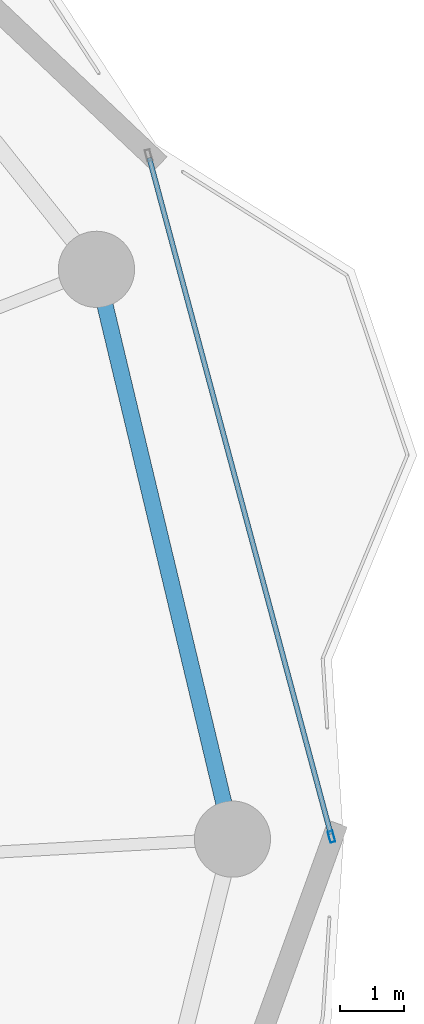
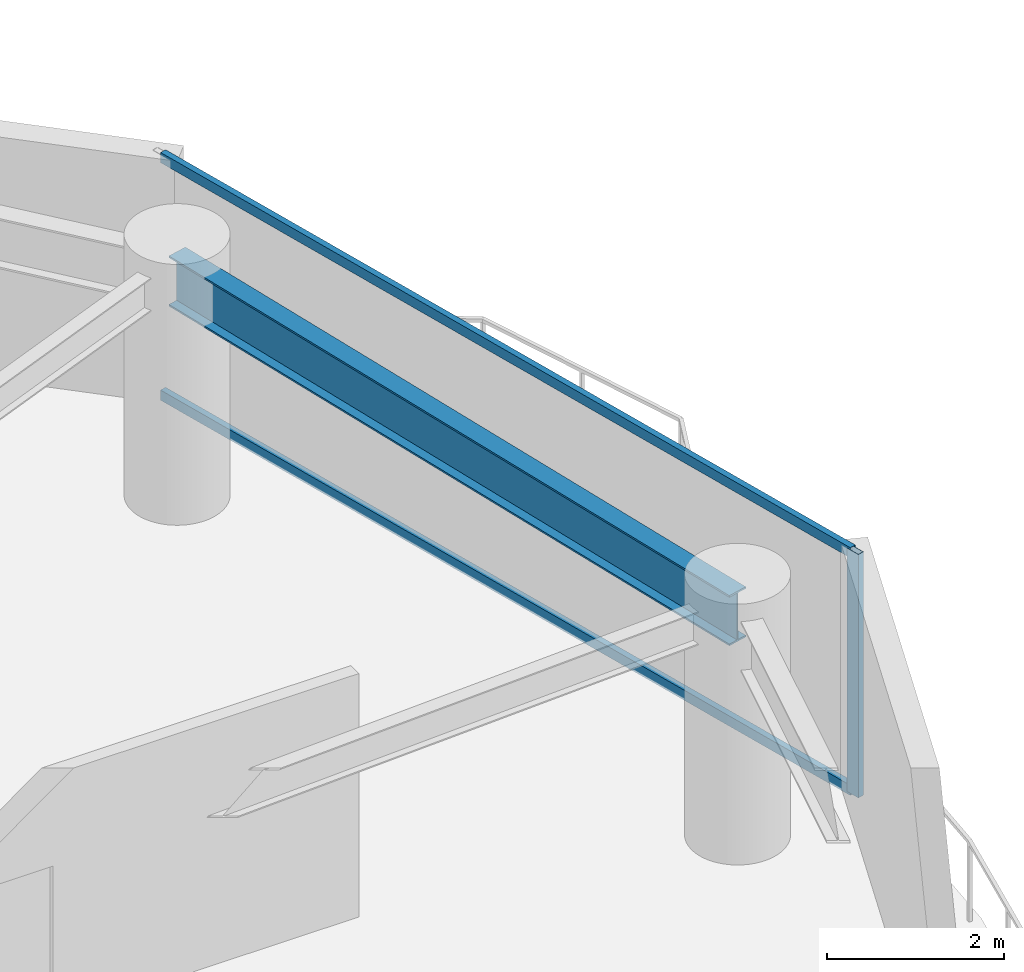
# One storey, part 15 of 28: 3 members, 1 beam, 1 element without a shape of its own.
"""IFC4 building model written with IfcOpenShell, lengths in metres."""

import ifcopenshell
import ifcopenshell.guid

model = None  # the IFC model being written
_history = None  # IfcOwnerHistory: only IFC2X3 demands one
_inside = {}  # id of a spatial element -> (the spatial element, [elements in it])
_under = {}  # id of a project, library or spatial element -> (it, [spatial elements below it])
_declared = {}  # id of a project -> (the project, [libraries it declares])
_typed = {}  # id of a type object -> (the type object, [elements of that type])
_made_of = {}  # id of a material, layer set ... -> (it, [elements and type objects made of it])


def new_model(schema):
    """Start an empty IFC model of exactly this schema.

    Asked for "IFC4X3", IfcOpenShell would pick the latest addendum, in which some entities
    have other attributes; the version numbers below select the first issue.
    IFC2X3 requires an IfcOwnerHistory on every rooted entity: one is made here for all.
    """
    global model, _history
    if schema == "IFC4X3":
        model = ifcopenshell.file(schema_version=(4, 3, 0, 0))
    else:
        model = ifcopenshell.file(schema=schema)
    _inside.clear()
    _under.clear()
    _declared.clear()
    _typed.clear()
    _made_of.clear()
    _history = None
    if model.schema == "IFC2X3":
        org = make("IfcOrganization", Name="unknown")
        user = make(
            "IfcPersonAndOrganization",
            ThePerson=make("IfcPerson", FamilyName="unknown"),
            TheOrganization=org,
        )
        app = make(
            "IfcApplication",
            ApplicationDeveloper=org,
            Version="unknown",
            ApplicationFullName="unknown",
            ApplicationIdentifier="unknown",
        )
        _history = make(
            "IfcOwnerHistory",
            OwningUser=user,
            OwningApplication=app,
            ChangeAction="ADDED",
            CreationDate=0,
        )
    return model


def make(cls, **values):
    """One entity of the class cls with the attributes given. An attribute that is None is left unset."""
    return model.create_entity(
        cls, **{name: value for name, value in values.items() if value is not None}
    )


def rooted(cls, **values):
    """An entity with a GlobalId (a new one), such as an element, a storey or a relation."""
    return make(cls, GlobalId=ifcopenshell.guid.new(), OwnerHistory=_history, **values)


def si_unit(unit_type, name, prefix=None):
    """IfcSIUnit, for example si_unit("LENGTHUNIT", "METRE", prefix="MILLI")."""
    return make("IfcSIUnit", UnitType=unit_type, Prefix=prefix, Name=name)


def assignment(units):
    """IfcUnitAssignment: the units of a project."""
    return None if units is None else make("IfcUnitAssignment", Units=units)


def point(xyz):
    """IfcCartesianPoint."""
    return None if xyz is None else make("IfcCartesianPoint", Coordinates=xyz)


def direction(xyz):
    """IfcDirection."""
    return None if xyz is None else make("IfcDirection", DirectionRatios=xyz)


def frame(location, z_axis=None, x_axis=None):
    """IfcAxis2Placement3D, a coordinate frame: its origin and axes. An axis left out is left unset."""
    return make(
        "IfcAxis2Placement3D",
        Location=point(location),
        Axis=direction(z_axis),
        RefDirection=direction(x_axis),
    )


def frame_2d(location, x_axis=None):
    """IfcAxis2Placement2D, a coordinate frame in the plane: its origin and x axis."""
    return make(
        "IfcAxis2Placement2D", Location=point(location), RefDirection=direction(x_axis)
    )


def origin():
    """The frame at (0, 0, 0) with its axes left unset."""
    return frame((0.0, 0.0, 0.0))


def origin_2d():
    """The frame at (0, 0) in the plane with its x axis left unset."""
    return frame_2d((0.0, 0.0))


def place(relative_to, where):
    """IfcLocalPlacement: puts the frame where relative to a parent placement (None: the world)."""
    return make(
        "IfcLocalPlacement", PlacementRelTo=relative_to, RelativePlacement=where
    )


def context(
    kind, dimensions, precision=None, world=None, true_north=None, identifier=None
):
    """IfcGeometricRepresentationContext, for example the 3D "Model" context."""
    return make(
        "IfcGeometricRepresentationContext",
        ContextIdentifier=identifier,
        ContextType=kind,
        CoordinateSpaceDimension=dimensions,
        Precision=precision,
        WorldCoordinateSystem=world,
        TrueNorth=true_north,
    )


def subcontext(parent, identifier, kind, view, scale=None):
    """IfcGeometricRepresentationSubContext, for example "Body" below "Model"."""
    return make(
        "IfcGeometricRepresentationSubContext",
        ContextIdentifier=identifier,
        ContextType=kind,
        ParentContext=parent,
        TargetScale=scale,
        TargetView=view,
    )


def project(units=None, contexts=None):
    """IfcProject with its units and contexts."""
    return rooted(
        "IfcProject",
        Name="project",
        RepresentationContexts=contexts,
        UnitsInContext=assignment(units),
    )


def spatial(cls, under=None, at=None, **own):
    """A site, building, storey or space (cls), placed at a placement, below another one or the project."""
    s = rooted(cls, ObjectPlacement=at, **own)
    if under is not None:
        _under.setdefault(under.id(), (under, []))[1].append(s)
    return s


def profile(cls, at=None, kind="AREA", **sizes):
    """A parametric profile (cls). Its sizes go by their IFC names, for example OverallWidth=200.0."""
    return make(cls, ProfileType=kind, Position=at, **sizes)


def hollow_rectangle(**sizes):
    """IfcRectangleHollowProfileDef."""
    return profile("IfcRectangleHollowProfileDef", **sizes)


def i_section(**sizes):
    """IfcIShapeProfileDef."""
    return profile("IfcIShapeProfileDef", **sizes)


def extrude(swept, where, along, depth):
    """IfcExtrudedAreaSolid: the profile swept, set in the frame where, extruded along a direction by depth."""
    return make(
        "IfcExtrudedAreaSolid",
        SweptArea=swept,
        Position=where,
        ExtrudedDirection=direction(along),
        Depth=depth,
    )


def shape(context_of_items, identifier, shape_type, items):
    """IfcShapeRepresentation: the items that make up one representation, for example the "Body"."""
    return make(
        "IfcShapeRepresentation",
        ContextOfItems=context_of_items,
        RepresentationIdentifier=identifier,
        RepresentationType=shape_type,
        Items=items,
    )


def material(Name=None, Category=None):
    """IfcMaterial."""
    return make("IfcMaterial", Name=Name, Category=Category)


def layer(
    of_material, thickness, ventilated=None, Name=None, Category=None, Priority=None
):
    """IfcMaterialLayer: one layer of a wall or slab, of a material (None: an air gap)."""
    return make(
        "IfcMaterialLayer",
        Material=of_material,
        LayerThickness=thickness,
        IsVentilated=ventilated,
        Name=Name,
        Category=Category,
        Priority=Priority,
    )


def layer_set(layers, Name=None):
    """IfcMaterialLayerSet."""
    return make("IfcMaterialLayerSet", MaterialLayers=layers, LayerSetName=Name)


def material_profile(
    of_material, cross_section, Name=None, Category=None, Priority=None
):
    """IfcMaterialProfile: a cross section and its material."""
    return make(
        "IfcMaterialProfile",
        Name=Name,
        Material=of_material,
        Profile=cross_section,
        Priority=Priority,
        Category=Category,
    )


def profile_set(profiles, Name=None, composite=None):
    """IfcMaterialProfileSet."""
    return make(
        "IfcMaterialProfileSet",
        Name=Name,
        MaterialProfiles=profiles,
        CompositeProfile=composite,
    )


def made_of(thing, what):
    """Note that an element or type object is made of a material, layer set ...; save() writes the relation."""
    if what is not None:
        _made_of.setdefault(what.id(), (what, []))[1].append(thing)
    return thing


def type_object(cls, material=None, **own):
    """A type object (cls), such as IfcWallType, which elements share."""
    return made_of(rooted(cls, **own), material)


def element(
    cls,
    number,
    at=None,
    inside=None,
    cuts=None,
    type_object=None,
    material=None,
    context=None,
    identifier="Body",
    shape_type=None,
    held_by="IfcProductDefinitionShape",
    body=None,
    shapes=None,
    **own,
):
    """One element of the class cls, such as IfcWall. Its Tag is "e" and its number.

    at: its placement. inside: the storey or other place that contains it. cuts: it is an
    opening in that element (IfcRelVoidsElement). A single representation is given by context,
    identifier, shape_type and body (its items); several are given by shapes. held_by: the class
    of the entity that holds the representations. save() writes the other relations.
    """
    e = rooted(cls, Tag="e%d" % number, ObjectPlacement=at, **own)
    if body is not None:
        shapes = [shape(context, identifier, shape_type, body)]
    if shapes is not None:
        e.Representation = make(held_by, Representations=shapes)
    if inside is not None:
        _inside.setdefault(inside.id(), (inside, []))[1].append(e)
    if cuts is not None:
        rooted(
            "IfcRelVoidsElement", RelatingBuildingElement=cuts, RelatedOpeningElement=e
        )
    if type_object is not None:
        _typed.setdefault(type_object.id(), (type_object, []))[1].append(e)
    return made_of(e, material)


def aggregate(whole, parts):
    """IfcRelAggregates: a whole, such as a stair, and the parts it consists of."""
    return rooted("IfcRelAggregates", RelatingObject=whole, RelatedObjects=parts)


def save(model, path):
    """Write the relations noted so far, then the file.

    IfcRelAggregates (storeys below a building ...), IfcRelContainedInSpatialStructure (elements
    in a storey), IfcRelDefinesByType, IfcRelAssociatesMaterial and IfcRelDeclares: one each for
    every whole, place, type object, material and project.
    """
    for whole, parts in _under.values():
        aggregate(whole, parts)
    for where, things in _inside.values():
        rooted(
            "IfcRelContainedInSpatialStructure",
            RelatedElements=things,
            RelatingStructure=where,
        )
    for kind, things in _typed.values():
        rooted("IfcRelDefinesByType", RelatedObjects=things, RelatingType=kind)
    for what, things in _made_of.values():
        rooted("IfcRelAssociatesMaterial", RelatedObjects=things, RelatingMaterial=what)
    for by, libraries in _declared.values():
        rooted("IfcRelDeclares", RelatingContext=by, RelatedDefinitions=libraries)
    model.write(path)


model = new_model("IFC4")

# Units and contexts
model_context = context("Model", 3, precision=1e-05, world=origin(), true_north=direction((0.0, 1.0)))
body_context = subcontext(model_context, "Body", "Model", "MODEL_VIEW")
ifc_project = project(units=[si_unit("LENGTHUNIT", "METRE"), si_unit("AREAUNIT", "SQUARE_METRE"), si_unit("VOLUMEUNIT", "CUBIC_METRE"), si_unit("PLANEANGLEUNIT", "RADIAN"), si_unit("MASSUNIT", "GRAM", prefix="KILO")], contexts=[model_context])

# Site, building, storey
site_placement = place(None, origin())
site = spatial("IfcSite", under=ifc_project, at=site_placement, CompositionType="ELEMENT")
building_placement = place(site_placement, origin())
building = spatial("IfcBuilding", under=site, at=building_placement, Name="Kazevale Care Tower and Concert Hall", CompositionType="ELEMENT")
storey_placement = place(building_placement, frame((0.0, 0.0, 142.199951171875)))
storey = spatial("IfcBuildingStorey", under=building, at=storey_placement, Name="L37", CompositionType="ELEMENT", Elevation=142.199951171875)

# Curtain wall, members
ifc_material_1 = material(Name="Aluminium 6063-T6 and Low-E Glass", Category="aluminium")
ifc_layer = layer(ifc_material_1, 0.179931640625)
ifc_layer_set = layer_set([ifc_layer], Name="Aluminium 6063-T6 and Low-E Glass")
curtain_wall_type = type_object("IfcCurtainWallType", Name="Waist & Upper Residential Curtain Wall CW-4", PredefinedType="NOTDEFINED", material=ifc_layer_set)
curtain_wall_placement = place(storey_placement, origin())
curtain_wall = element("IfcCurtainWall", 1, at=curtain_wall_placement, inside=storey, type_object=curtain_wall_type, Name="cw:L37:f18", PredefinedType="NOTDEFINED")
ifc_material_2 = material(Name="Aluminium 6063-T6", Category="aluminium")
ifc_material_profile_1 = material_profile(ifc_material_2, hollow_rectangle(XDim=0.080078125, YDim=0.179931640625, WallThickness=0.0048828125, at=origin_2d()), Name="ALU80x180x5")
ifc_profile_set_1 = profile_set([ifc_material_profile_1], Name="Aluminium 6063-T6")
member_type_1 = type_object("IfcMemberType", Name="CW-4 Mullion ALU80x180x5", PredefinedType="MULLION", material=ifc_profile_set_1)
member_1_placement = place(storey_placement, frame((74.609619140625, 38.03857421875, 0.0), z_axis=(0.0, 0.0, 1.0), x_axis=(0.965806263229, 0.259264848961, 0.0)))
member_1 = element("IfcMember", 2, at=member_1_placement, type_object=member_type_1, Name="CW-4 mullion 2", PredefinedType="MULLION", context=body_context, shape_type="SweptSolid", body=[
    extrude(hollow_rectangle(XDim=0.080078125, YDim=0.179931640625, WallThickness=0.0048828125, at=origin_2d()), origin(), (0.0, 0.0, 1.0), 3.360107421875),
])
ifc_material_profile_2 = material_profile(ifc_material_2, hollow_rectangle(XDim=0.080078125, YDim=0.139892578125, WallThickness=0.00390625, at=origin_2d()), Name="ALU80x140x4")
ifc_profile_set_2 = profile_set([ifc_material_profile_2], Name="Aluminium 6063-T6")
member_type_2 = type_object("IfcMemberType", Name="CW-4 Transom ALU80x140x4", PredefinedType="USERDEFINED", material=ifc_profile_set_2)
member_2_placement = place(storey_placement, frame((71.74072265625, 48.725830078125, 0.0400390625), z_axis=(0.259270636335, -0.965804709625, 0.0), x_axis=(0.965804709625, 0.259270636335, 0.0)))
member_2 = element("IfcMember", 3, at=member_2_placement, type_object=member_type_2, Name="CW-4 transom 1.1", ObjectType="TRANSOM", PredefinedType="USERDEFINED", context=body_context, shape_type="SweptSolid", body=[
    extrude(hollow_rectangle(XDim=0.080078125, YDim=0.139892578125, WallThickness=0.00390625, at=origin_2d()), origin(), (0.0, 0.0, 1.0), 11.025634765625),
])
member_3_placement = place(storey_placement, frame((71.74072265625, 48.725830078125, 3.320068359375), z_axis=(0.259270636335, -0.965804709625, 0.0), x_axis=(0.965804709625, 0.259270636335, 0.0)))
member_3 = element("IfcMember", 4, at=member_3_placement, type_object=member_type_2, Name="CW-4 transom 1.2", ObjectType="TRANSOM", PredefinedType="USERDEFINED", context=body_context, shape_type="SweptSolid", body=[
    extrude(hollow_rectangle(XDim=0.080078125, YDim=0.139892578125, WallThickness=0.00390625, at=origin_2d()), origin(), (0.0, 0.0, 1.0), 11.025634765625),
])
aggregate(curtain_wall, [member_1, member_2, member_3])

# Beam
ifc_material_3 = material(Name="Steel ASTM A572 Gr 50", Category="steel")
ifc_material_profile_3 = material_profile(ifc_material_3, i_section(OverallWidth=0.256103515625, OverallDepth=0.693115234375, WebThickness=0.014404296875, FlangeThickness=0.023681640625, at=origin_2d()), Name="W690x170")
ifc_profile_set_3 = profile_set([ifc_material_profile_3], Name="Steel ASTM A572 Gr 50")
beam_type = type_object("IfcBeamType", Name="Waist Ring Beam W690x170", PredefinedType="BEAM", material=ifc_profile_set_3)
beam_placement = place(storey_placement, frame((73.050048828125, 38.0, 3.013427734375), z_axis=(-0.232075055882, 0.972697881378, 0.0), x_axis=(-0.972697881378, -0.232075055882, 0.0)))
element("IfcBeam", 5, at=beam_placement, inside=storey, type_object=beam_type, Name="beam:L37:ring:01", PredefinedType="BEAM", context=body_context, shape_type="SweptSolid", body=[
    extrude(i_section(OverallWidth=0.256103515625, OverallDepth=0.693115234375, WebThickness=0.014404296875, FlangeThickness=0.023681640625, at=origin_2d()), origin(), (0.0, 0.0, 1.0), 9.2216796875),
])

save(model, "model.ifc")
